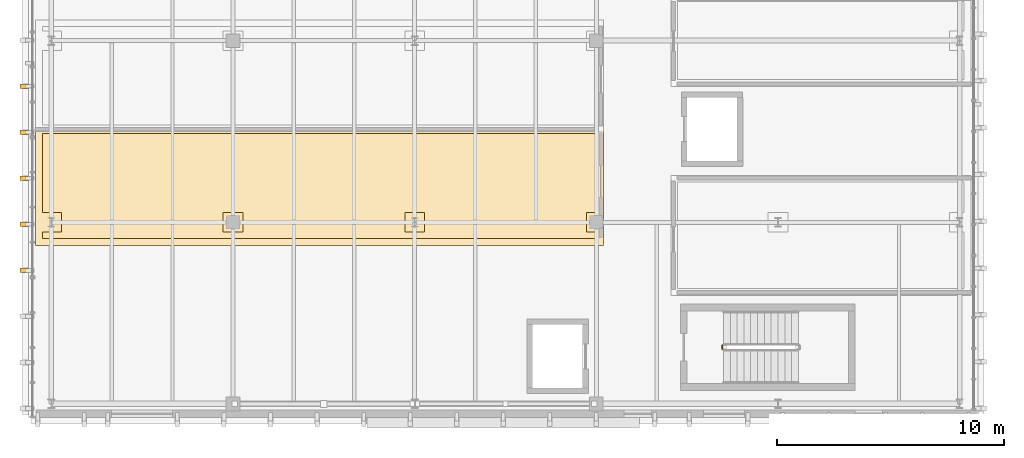
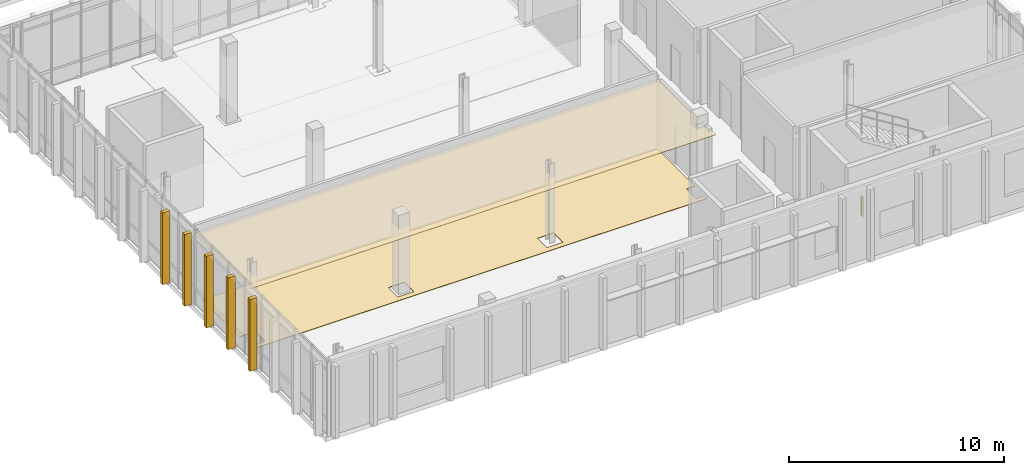
# One storey, part 52 of 62: 7 coverings, 1 railing.
"""IFC4 building model written with IfcOpenShell, lengths in metres."""

from ifc_helpers import new_model, si_unit, direction, frame, origin, origin_2d, place, context, subcontext, project, spatial, polyline, rectangle, circle, outline, extrude, material, layer, layer_set, type_object, element, save


model = new_model("IFC4")

# Units and contexts
model_context = context("Model", 3, precision=1e-05, world=origin(), true_north=direction((0.0, 1.0)))
body_context = subcontext(model_context, "Body", "Model", "MODEL_VIEW")
ifc_project = project(units=[si_unit("LENGTHUNIT", "METRE"), si_unit("AREAUNIT", "SQUARE_METRE"), si_unit("VOLUMEUNIT", "CUBIC_METRE"), si_unit("PLANEANGLEUNIT", "RADIAN"), si_unit("MASSUNIT", "GRAM", prefix="KILO")], contexts=[model_context])

# Site, building, storey
site_placement = place(None, origin())
site = spatial("IfcSite", under=ifc_project, at=site_placement, CompositionType="ELEMENT")
building_placement = place(site_placement, origin())
building = spatial("IfcBuilding", under=site, at=building_placement, Name="Cymarion Research Institute", CompositionType="ELEMENT")
storey_placement = place(building_placement, frame((0.0, 0.0, 18.300048828125)))
storey = spatial("IfcBuildingStorey", under=building, at=storey_placement, Name="L04", CompositionType="ELEMENT", Elevation=18.300048828125)

# Covering
ifc_material_1 = material(Name="Micro-perforated mineral acoustic ceiling tile", Category="gypsum")
ifc_layer_1 = layer(ifc_material_1, 0.030029296875)
ifc_layer_set_1 = layer_set([ifc_layer_1], Name="Micro-perforated mineral acoustic ceiling tile")
covering_type_1 = type_object("IfcCoveringType", Name="ACOUSTIC MICRO-PERFORATED SUSPENDED CEILING CLG-01", PredefinedType="CEILING", material=ifc_layer_set_1)
covering_1_placement = place(storey_placement, frame((0.0, 0.0, 3.68994140625)))
element("IfcCovering", 1, at=covering_1_placement, inside=storey, type_object=covering_type_1, Name="L04 L04 Cleanroom Gowning & Pressure Cascade Airlock acoustic ceiling", PredefinedType="CEILING", context=body_context, shape_type="SweptSolid", body=[
    extrude(outline(polyline([(30.465087890625, 55.635009765625), (30.465087890625, 55.364990234375), (30.9150390625, 55.364990234375), (30.9150390625, 54.485107421875), (5.905029296875, 54.485107421875), (5.905029296875, 59.715087890625), (30.9150390625, 59.715087890625), (30.9150390625, 55.635009765625), (30.465087890625, 55.635009765625)])), origin(), (0.0, 0.0, 1.0), 0.030029296875),
])

# Railing
ifc_material_2 = material(Name="Steel S355", Category="steel")
railing_type = type_object("IfcRailingType", Name="PAINTED STEEL STAIR GUARDRAIL GR1 1100MM", PredefinedType="GUARDRAIL", material=ifc_material_2)
railing_placement = place(storey_placement, frame((36.14990234375, 49.919921875, 0.0)))
element("IfcRailing", 2, at=railing_placement, inside=storey, type_object=railing_type, Name="L04 ST7 stair guard 4", PredefinedType="GUARDRAIL", context=body_context, shape_type="SweptSolid", body=[
    extrude(circle(Radius=0.02392578125, at=origin_2d()), frame((0.0, 0.0, 1.076171875), z_axis=(0.0, 1.0, 0.0), x_axis=(-1.0, 0.0, 0.0)), (0.0, 0.0, 1.0), 0.16015625),
    extrude(circle(Radius=0.02099609375, at=origin_2d()), origin(), (0.0, 0.0, 1.0), 1.052001953125),
    extrude(circle(Radius=0.02099609375, at=origin_2d()), frame((0.0, 0.16015625, 0.0)), (0.0, 0.0, 1.0), 1.052001953125),
])

# Coverings
ifc_material_3 = material(Name="Precast concrete C45/55 architectural white", Category="concrete")
ifc_layer_2 = layer(ifc_material_3, 0.199951171875)
ifc_layer_set_2 = layer_set([ifc_layer_2], Name="Precast concrete C45/55 architectural white")
covering_type_2 = type_object("IfcCoveringType", Name="SCULPTURAL WHITE PRECAST CONCRETE VERTICAL RIB RIB1 380X200", PredefinedType="CLADDING", material=ifc_layer_set_2)
for number, where, z_axis, x_axis, name in (
    (3, (5.407958984375, 61.48681640625, 0.010009765625), (0.0, 0.0, 1.0), (-1.0, 0.0, 0.0), "L04 V4 sculptural precast vertical rib RIB1 #889"),
    (4, (5.407958984375, 59.4599609375, 0.010009765625), (0.0, 0.0, 1.0), (-1.0, 0.0, 0.0), "L04 V4 sculptural precast vertical rib RIB1 #890"),
    (5, (5.407958984375, 57.433349609375, 0.010009765625), (0.0, 0.0, 1.0), (-1.0, 0.0, 0.0), "L04 V4 sculptural precast vertical rib RIB1 #891"),
    (6, (5.407958984375, 55.40673828125, 0.010009765625), (0.0, 0.0, 1.0), (-1.0, 0.0, 0.0), "L04 V4 sculptural precast vertical rib RIB1 #892"),
    (7, (5.407958984375, 53.3798828125, 0.010009765625), (0.0, 0.0, 1.0), (-1.0, 0.0, 0.0), "L04 V4 sculptural precast vertical rib RIB1 #893"),
):
    element("IfcCovering", number, at=place(storey_placement, frame(where, z_axis=z_axis, x_axis=x_axis)), inside=storey, type_object=covering_type_2, Name=name, PredefinedType="CLADDING", context=body_context, shape_type="SweptSolid", body=[
        extrude(rectangle(XDim=0.3798828125, YDim=0.199951171875, at=origin_2d()), origin(), (0.0, 0.0, 1.0), 4.06494140625),
    ])
ifc_material_4 = material(Name="Seamless dissipative epoxy resin flooring", Category="resin")
ifc_layer_3 = layer(ifc_material_4, 0.02001953125)
ifc_layer_set_3 = layer_set([ifc_layer_3], Name="Seamless dissipative epoxy resin flooring")
covering_type_3 = type_object("IfcCoveringType", Name="SEAMLESS ESD EPOXY LABORATORY FLOORING FLR-01", PredefinedType="FLOORING", material=ifc_layer_set_3)
covering_2_placement = place(storey_placement, origin())
element("IfcCovering", 8, at=covering_2_placement, inside=storey, type_object=covering_type_3, Name="L04 L04 Cleanroom Gowning & Pressure Cascade Airlock ESD epoxy flooring", PredefinedType="FLOORING", context=body_context, shape_type="SweptSolid", body=[
    extrude(outline(polyline([(6.205078125, 55.06494140625), (7.034912109375, 55.06494140625), (7.034912109375, 55.93505859375), (6.205078125, 55.93505859375), (6.205078125, 59.4150390625), (30.614990234375, 59.4150390625), (30.614990234375, 55.93505859375), (30.1650390625, 55.93505859375), (30.1650390625, 55.06494140625), (30.614990234375, 55.06494140625), (30.614990234375, 54.784912109375), (6.205078125, 54.784912109375), (6.205078125, 55.06494140625)]), holes=[polyline([(22.1650390625, 55.93505859375), (22.1650390625, 55.06494140625), (23.034912109375, 55.06494140625), (23.034912109375, 55.93505859375), (22.1650390625, 55.93505859375)]), polyline([(14.1650390625, 55.93505859375), (14.1650390625, 55.06494140625), (15.034912109375, 55.06494140625), (15.034912109375, 55.93505859375), (14.1650390625, 55.93505859375)])]), origin(), (0.0, 0.0, 1.0), 0.02001953125),
])

save(model, "model.ifc")
